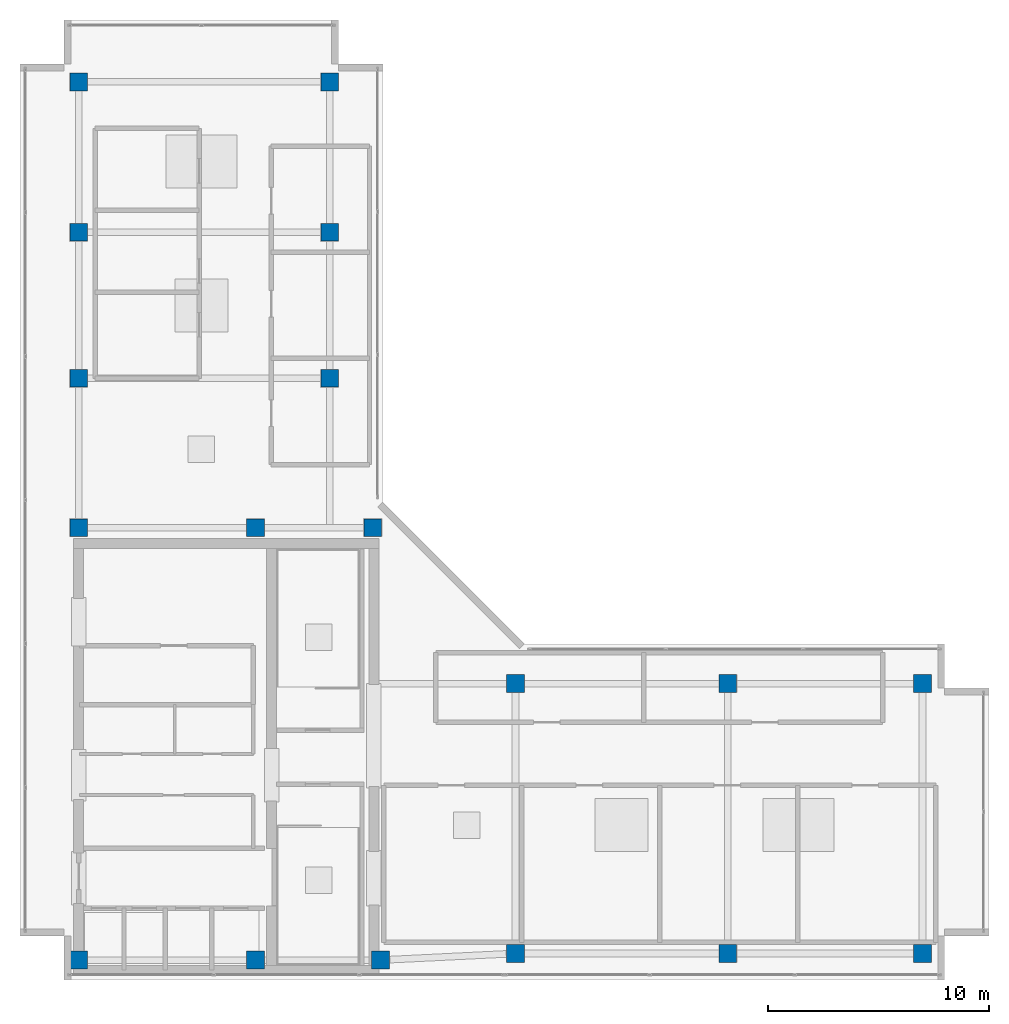
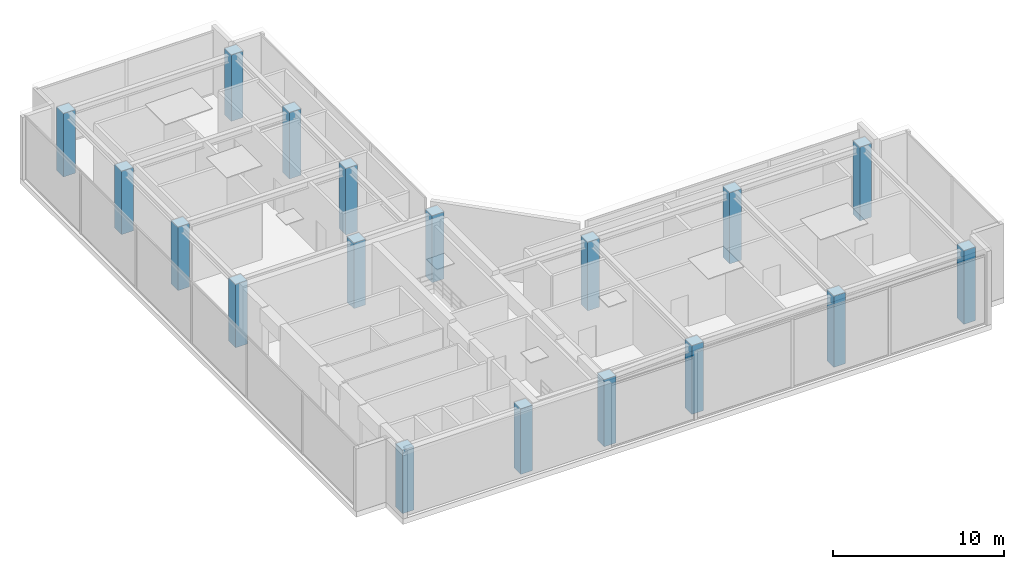
# One storey, part 1 of 22: 18 columns.
"""IFC4 building model written with IfcOpenShell, lengths in metres."""

import ifcopenshell
import ifcopenshell.guid

model = None  # the IFC model being written
_history = None  # IfcOwnerHistory: only IFC2X3 demands one
_inside = {}  # id of a spatial element -> (the spatial element, [elements in it])
_under = {}  # id of a project, library or spatial element -> (it, [spatial elements below it])
_declared = {}  # id of a project -> (the project, [libraries it declares])
_typed = {}  # id of a type object -> (the type object, [elements of that type])
_made_of = {}  # id of a material, layer set ... -> (it, [elements and type objects made of it])


def new_model(schema):
    """Start an empty IFC model of exactly this schema.

    Asked for "IFC4X3", IfcOpenShell would pick the latest addendum, in which some entities
    have other attributes; the version numbers below select the first issue.
    IFC2X3 requires an IfcOwnerHistory on every rooted entity: one is made here for all.
    """
    global model, _history
    if schema == "IFC4X3":
        model = ifcopenshell.file(schema_version=(4, 3, 0, 0))
    else:
        model = ifcopenshell.file(schema=schema)
    _inside.clear()
    _under.clear()
    _declared.clear()
    _typed.clear()
    _made_of.clear()
    _history = None
    if model.schema == "IFC2X3":
        org = make("IfcOrganization", Name="unknown")
        user = make(
            "IfcPersonAndOrganization",
            ThePerson=make("IfcPerson", FamilyName="unknown"),
            TheOrganization=org,
        )
        app = make(
            "IfcApplication",
            ApplicationDeveloper=org,
            Version="unknown",
            ApplicationFullName="unknown",
            ApplicationIdentifier="unknown",
        )
        _history = make(
            "IfcOwnerHistory",
            OwningUser=user,
            OwningApplication=app,
            ChangeAction="ADDED",
            CreationDate=0,
        )
    return model


def make(cls, **values):
    """One entity of the class cls with the attributes given. An attribute that is None is left unset."""
    return model.create_entity(
        cls, **{name: value for name, value in values.items() if value is not None}
    )


def rooted(cls, **values):
    """An entity with a GlobalId (a new one), such as an element, a storey or a relation."""
    return make(cls, GlobalId=ifcopenshell.guid.new(), OwnerHistory=_history, **values)


def si_unit(unit_type, name, prefix=None):
    """IfcSIUnit, for example si_unit("LENGTHUNIT", "METRE", prefix="MILLI")."""
    return make("IfcSIUnit", UnitType=unit_type, Prefix=prefix, Name=name)


def assignment(units):
    """IfcUnitAssignment: the units of a project."""
    return None if units is None else make("IfcUnitAssignment", Units=units)


def point(xyz):
    """IfcCartesianPoint."""
    return None if xyz is None else make("IfcCartesianPoint", Coordinates=xyz)


def direction(xyz):
    """IfcDirection."""
    return None if xyz is None else make("IfcDirection", DirectionRatios=xyz)


def frame(location, z_axis=None, x_axis=None):
    """IfcAxis2Placement3D, a coordinate frame: its origin and axes. An axis left out is left unset."""
    return make(
        "IfcAxis2Placement3D",
        Location=point(location),
        Axis=direction(z_axis),
        RefDirection=direction(x_axis),
    )


def frame_2d(location, x_axis=None):
    """IfcAxis2Placement2D, a coordinate frame in the plane: its origin and x axis."""
    return make(
        "IfcAxis2Placement2D", Location=point(location), RefDirection=direction(x_axis)
    )


def origin():
    """The frame at (0, 0, 0) with its axes left unset."""
    return frame((0.0, 0.0, 0.0))


def origin_2d():
    """The frame at (0, 0) in the plane with its x axis left unset."""
    return frame_2d((0.0, 0.0))


def place(relative_to, where):
    """IfcLocalPlacement: puts the frame where relative to a parent placement (None: the world)."""
    return make(
        "IfcLocalPlacement", PlacementRelTo=relative_to, RelativePlacement=where
    )


def context(
    kind, dimensions, precision=None, world=None, true_north=None, identifier=None
):
    """IfcGeometricRepresentationContext, for example the 3D "Model" context."""
    return make(
        "IfcGeometricRepresentationContext",
        ContextIdentifier=identifier,
        ContextType=kind,
        CoordinateSpaceDimension=dimensions,
        Precision=precision,
        WorldCoordinateSystem=world,
        TrueNorth=true_north,
    )


def subcontext(parent, identifier, kind, view, scale=None):
    """IfcGeometricRepresentationSubContext, for example "Body" below "Model"."""
    return make(
        "IfcGeometricRepresentationSubContext",
        ContextIdentifier=identifier,
        ContextType=kind,
        ParentContext=parent,
        TargetScale=scale,
        TargetView=view,
    )


def project(units=None, contexts=None):
    """IfcProject with its units and contexts."""
    return rooted(
        "IfcProject",
        Name="project",
        RepresentationContexts=contexts,
        UnitsInContext=assignment(units),
    )


def spatial(cls, under=None, at=None, **own):
    """A site, building, storey or space (cls), placed at a placement, below another one or the project."""
    s = rooted(cls, ObjectPlacement=at, **own)
    if under is not None:
        _under.setdefault(under.id(), (under, []))[1].append(s)
    return s


def profile(cls, at=None, kind="AREA", **sizes):
    """A parametric profile (cls). Its sizes go by their IFC names, for example OverallWidth=200.0."""
    return make(cls, ProfileType=kind, Position=at, **sizes)


def rectangle(**sizes):
    """IfcRectangleProfileDef."""
    return profile("IfcRectangleProfileDef", **sizes)


def extrude(swept, where, along, depth):
    """IfcExtrudedAreaSolid: the profile swept, set in the frame where, extruded along a direction by depth."""
    return make(
        "IfcExtrudedAreaSolid",
        SweptArea=swept,
        Position=where,
        ExtrudedDirection=direction(along),
        Depth=depth,
    )


def shape(context_of_items, identifier, shape_type, items):
    """IfcShapeRepresentation: the items that make up one representation, for example the "Body"."""
    return make(
        "IfcShapeRepresentation",
        ContextOfItems=context_of_items,
        RepresentationIdentifier=identifier,
        RepresentationType=shape_type,
        Items=items,
    )


def material(Name=None, Category=None):
    """IfcMaterial."""
    return make("IfcMaterial", Name=Name, Category=Category)


def material_profile(
    of_material, cross_section, Name=None, Category=None, Priority=None
):
    """IfcMaterialProfile: a cross section and its material."""
    return make(
        "IfcMaterialProfile",
        Name=Name,
        Material=of_material,
        Profile=cross_section,
        Priority=Priority,
        Category=Category,
    )


def profile_set(profiles, Name=None, composite=None):
    """IfcMaterialProfileSet."""
    return make(
        "IfcMaterialProfileSet",
        Name=Name,
        MaterialProfiles=profiles,
        CompositeProfile=composite,
    )


def made_of(thing, what):
    """Note that an element or type object is made of a material, layer set ...; save() writes the relation."""
    if what is not None:
        _made_of.setdefault(what.id(), (what, []))[1].append(thing)
    return thing


def type_object(cls, material=None, **own):
    """A type object (cls), such as IfcWallType, which elements share."""
    return made_of(rooted(cls, **own), material)


def element(
    cls,
    number,
    at=None,
    inside=None,
    cuts=None,
    type_object=None,
    material=None,
    context=None,
    identifier="Body",
    shape_type=None,
    held_by="IfcProductDefinitionShape",
    body=None,
    shapes=None,
    **own,
):
    """One element of the class cls, such as IfcWall. Its Tag is "e" and its number.

    at: its placement. inside: the storey or other place that contains it. cuts: it is an
    opening in that element (IfcRelVoidsElement). A single representation is given by context,
    identifier, shape_type and body (its items); several are given by shapes. held_by: the class
    of the entity that holds the representations. save() writes the other relations.
    """
    e = rooted(cls, Tag="e%d" % number, ObjectPlacement=at, **own)
    if body is not None:
        shapes = [shape(context, identifier, shape_type, body)]
    if shapes is not None:
        e.Representation = make(held_by, Representations=shapes)
    if inside is not None:
        _inside.setdefault(inside.id(), (inside, []))[1].append(e)
    if cuts is not None:
        rooted(
            "IfcRelVoidsElement", RelatingBuildingElement=cuts, RelatedOpeningElement=e
        )
    if type_object is not None:
        _typed.setdefault(type_object.id(), (type_object, []))[1].append(e)
    return made_of(e, material)


def aggregate(whole, parts):
    """IfcRelAggregates: a whole, such as a stair, and the parts it consists of."""
    return rooted("IfcRelAggregates", RelatingObject=whole, RelatedObjects=parts)


def save(model, path):
    """Write the relations noted so far, then the file.

    IfcRelAggregates (storeys below a building ...), IfcRelContainedInSpatialStructure (elements
    in a storey), IfcRelDefinesByType, IfcRelAssociatesMaterial and IfcRelDeclares: one each for
    every whole, place, type object, material and project.
    """
    for whole, parts in _under.values():
        aggregate(whole, parts)
    for where, things in _inside.values():
        rooted(
            "IfcRelContainedInSpatialStructure",
            RelatedElements=things,
            RelatingStructure=where,
        )
    for kind, things in _typed.values():
        rooted("IfcRelDefinesByType", RelatedObjects=things, RelatingType=kind)
    for what, things in _made_of.values():
        rooted("IfcRelAssociatesMaterial", RelatedObjects=things, RelatingMaterial=what)
    for by, libraries in _declared.values():
        rooted("IfcRelDeclares", RelatingContext=by, RelatedDefinitions=libraries)
    model.write(path)


model = new_model("IFC4")

# Units and contexts
model_context = context("Model", 3, precision=1e-05, world=origin(), true_north=direction((0.0, 1.0)))
body_context = subcontext(model_context, "Body", "Model", "MODEL_VIEW")
ifc_project = project(units=[si_unit("LENGTHUNIT", "METRE"), si_unit("AREAUNIT", "SQUARE_METRE"), si_unit("VOLUMEUNIT", "CUBIC_METRE"), si_unit("PLANEANGLEUNIT", "RADIAN"), si_unit("MASSUNIT", "GRAM", prefix="KILO")], contexts=[model_context])

# Site, building, storey
site_placement = place(None, origin())
site = spatial("IfcSite", under=ifc_project, at=site_placement, CompositionType="ELEMENT")
building_placement = place(site_placement, origin())
building = spatial("IfcBuilding", under=site, at=building_placement, Name="Kolvaren Waterfront Exchange", CompositionType="ELEMENT")
storey_placement = place(building_placement, frame((0.0, 0.0, 360.39990234375)))
storey = spatial("IfcBuildingStorey", under=building, at=storey_placement, Name="RF", CompositionType="ELEMENT", Elevation=360.39990234375)

# Columns
ifc_material = material(Name="Concrete C50/60", Category="concrete")
ifc_material_profile = material_profile(ifc_material, rectangle(XDim=0.800048828125, YDim=0.800048828125, at=origin_2d()), Name="RC-COL-800x800")
ifc_profile_set = profile_set([ifc_material_profile], Name="Concrete C50/60")
column_type = type_object("IfcColumnType", Name="STR-COL-800-C50", PredefinedType="COLUMN", material=ifc_profile_set)
column_1_placement = place(storey_placement, frame((7.449951171875, 4.89990234375, 0.0), z_axis=(0.0, 0.0, 1.0), x_axis=(1.0, 0.0, 0.0)))
element("IfcColumn", 1, at=column_1_placement, inside=storey, type_object=column_type, Name="RF column MC01", PredefinedType="COLUMN", context=body_context, shape_type="SweptSolid", body=[
    extrude(rectangle(XDim=0.800048828125, YDim=0.800048828125, at=origin_2d()), origin(), (0.0, 0.0, 1.0), 4.531005859375),
])
column_2_placement = place(storey_placement, frame((15.449951171875, 4.89990234375, 0.0), z_axis=(0.0, 0.0, 1.0), x_axis=(1.0, 0.0, 0.0)))
element("IfcColumn", 2, at=column_2_placement, inside=storey, type_object=column_type, Name="RF column MC02", PredefinedType="COLUMN", context=body_context, shape_type="SweptSolid", body=[
    extrude(rectangle(XDim=0.800048828125, YDim=0.800048828125, at=origin_2d()), origin(), (0.0, 0.0, 1.0), 4.684326171875),
])
column_3_placement = place(storey_placement, frame((21.10009765625, 4.89990234375, 0.0), z_axis=(0.0, 0.0, 1.0), x_axis=(1.0, 0.0, 0.0)))
element("IfcColumn", 3, at=column_3_placement, inside=storey, type_object=column_type, Name="RF column MC03", PredefinedType="COLUMN", context=body_context, shape_type="SweptSolid", body=[
    extrude(rectangle(XDim=0.800048828125, YDim=0.800048828125, at=origin_2d()), origin(), (0.0, 0.0, 1.0), 4.792724609375),
])
column_4_placement = place(storey_placement, frame((7.449951171875, 24.449951171875, 0.0), z_axis=(0.0, 0.0, 1.0), x_axis=(1.0, 0.0, 0.0)))
element("IfcColumn", 4, at=column_4_placement, inside=storey, type_object=column_type, Name="RF column MC04", PredefinedType="COLUMN", context=body_context, shape_type="SweptSolid", body=[
    extrude(rectangle(XDim=0.800048828125, YDim=0.800048828125, at=origin_2d()), origin(), (0.0, 0.0, 1.0), 4.531005859375),
])
column_5_placement = place(storey_placement, frame((15.449951171875, 24.449951171875, 0.0), z_axis=(0.0, 0.0, 1.0), x_axis=(1.0, 0.0, 0.0)))
element("IfcColumn", 5, at=column_5_placement, inside=storey, type_object=column_type, Name="RF column MC05", PredefinedType="COLUMN", context=body_context, shape_type="SweptSolid", body=[
    extrude(rectangle(XDim=0.800048828125, YDim=0.800048828125, at=origin_2d()), origin(), (0.0, 0.0, 1.0), 4.684326171875),
])
column_6_placement = place(storey_placement, frame((20.75, 24.449951171875, 0.0), z_axis=(0.0, 0.0, 1.0), x_axis=(1.0, 0.0, 0.0)))
element("IfcColumn", 6, at=column_6_placement, inside=storey, type_object=column_type, Name="RF column MC06", PredefinedType="COLUMN", context=body_context, shape_type="SweptSolid", body=[
    extrude(rectangle(XDim=0.800048828125, YDim=0.800048828125, at=origin_2d()), origin(), (0.0, 0.0, 1.0), 4.785888671875),
])
for number, where, z_axis, x_axis, name in (
    (7, (7.449951171875, 31.199951171875, 0.0), (0.0, 0.0, 1.0), (1.0, 0.0, 0.0), "RF column NC01"),
    (8, (7.449951171875, 37.800048828125, 0.0), (0.0, 0.0, 1.0), (1.0, 0.0, 0.0), "RF column NC02"),
    (9, (7.449951171875, 44.60009765625, 0.0), (0.0, 0.0, 1.0), (1.0, 0.0, 0.0), "RF column NC03"),
):
    element("IfcColumn", number, at=place(storey_placement, frame(where, z_axis=z_axis, x_axis=x_axis)), inside=storey, type_object=column_type, Name=name, PredefinedType="COLUMN", context=body_context, shape_type="SweptSolid", body=[
        extrude(rectangle(XDim=0.800048828125, YDim=0.800048828125, at=origin_2d()), origin(), (0.0, 0.0, 1.0), 4.531005859375),
    ])
for number, where, z_axis, x_axis, name in (
    (10, (18.800048828125, 31.199951171875, 0.0), (0.0, 0.0, 1.0), (1.0, 0.0, 0.0), "RF column NC04"),
    (11, (18.800048828125, 37.800048828125, 0.0), (0.0, 0.0, 1.0), (1.0, 0.0, 0.0), "RF column NC05"),
    (12, (18.800048828125, 44.60009765625, 0.0), (0.0, 0.0, 1.0), (1.0, 0.0, 0.0), "RF column NC06"),
):
    element("IfcColumn", number, at=place(storey_placement, frame(where, z_axis=z_axis, x_axis=x_axis)), inside=storey, type_object=column_type, Name=name, PredefinedType="COLUMN", context=body_context, shape_type="SweptSolid", body=[
        extrude(rectangle(XDim=0.800048828125, YDim=0.800048828125, at=origin_2d()), origin(), (0.0, 0.0, 1.0), 4.74853515625),
    ])
column_7_placement = place(storey_placement, frame((27.199951171875, 5.199951171875, 0.0), z_axis=(0.0, 0.0, 1.0), x_axis=(1.0, 0.0, 0.0)))
element("IfcColumn", 13, at=column_7_placement, inside=storey, type_object=column_type, Name="RF column EC01", PredefinedType="COLUMN", context=body_context, shape_type="SweptSolid", body=[
    extrude(rectangle(XDim=0.800048828125, YDim=0.800048828125, at=origin_2d()), origin(), (0.0, 0.0, 1.0), 4.90966796875),
])
column_8_placement = place(storey_placement, frame((36.800048828125, 5.199951171875, 0.0), z_axis=(0.0, 0.0, 1.0), x_axis=(1.0, 0.0, 0.0)))
element("IfcColumn", 14, at=column_8_placement, inside=storey, type_object=column_type, Name="RF column EC02", PredefinedType="COLUMN", context=body_context, shape_type="SweptSolid", body=[
    extrude(rectangle(XDim=0.800048828125, YDim=0.800048828125, at=origin_2d()), origin(), (0.0, 0.0, 1.0), 5.09375),
])
column_9_placement = place(storey_placement, frame((45.60009765625, 5.199951171875, 0.0), z_axis=(0.0, 0.0, 1.0), x_axis=(1.0, 0.0, 0.0)))
element("IfcColumn", 15, at=column_9_placement, inside=storey, type_object=column_type, Name="RF column EC03", PredefinedType="COLUMN", context=body_context, shape_type="SweptSolid", body=[
    extrude(rectangle(XDim=0.800048828125, YDim=0.800048828125, at=origin_2d()), origin(), (0.0, 0.0, 1.0), 5.2626953125),
])
column_10_placement = place(storey_placement, frame((27.199951171875, 17.39990234375, 0.0), z_axis=(0.0, 0.0, 1.0), x_axis=(1.0, 0.0, 0.0)))
element("IfcColumn", 16, at=column_10_placement, inside=storey, type_object=column_type, Name="RF column EC04", PredefinedType="COLUMN", context=body_context, shape_type="SweptSolid", body=[
    extrude(rectangle(XDim=0.800048828125, YDim=0.800048828125, at=origin_2d()), origin(), (0.0, 0.0, 1.0), 4.90966796875),
])
column_11_placement = place(storey_placement, frame((36.800048828125, 17.39990234375, 0.0), z_axis=(0.0, 0.0, 1.0), x_axis=(1.0, 0.0, 0.0)))
element("IfcColumn", 17, at=column_11_placement, inside=storey, type_object=column_type, Name="RF column EC05", PredefinedType="COLUMN", context=body_context, shape_type="SweptSolid", body=[
    extrude(rectangle(XDim=0.800048828125, YDim=0.800048828125, at=origin_2d()), origin(), (0.0, 0.0, 1.0), 5.09375),
])
column_12_placement = place(storey_placement, frame((45.60009765625, 17.39990234375, 0.0), z_axis=(0.0, 0.0, 1.0), x_axis=(1.0, 0.0, 0.0)))
element("IfcColumn", 18, at=column_12_placement, inside=storey, type_object=column_type, Name="RF column EC06", PredefinedType="COLUMN", context=body_context, shape_type="SweptSolid", body=[
    extrude(rectangle(XDim=0.800048828125, YDim=0.800048828125, at=origin_2d()), origin(), (0.0, 0.0, 1.0), 5.2626953125),
])

save(model, "model.ifc")
